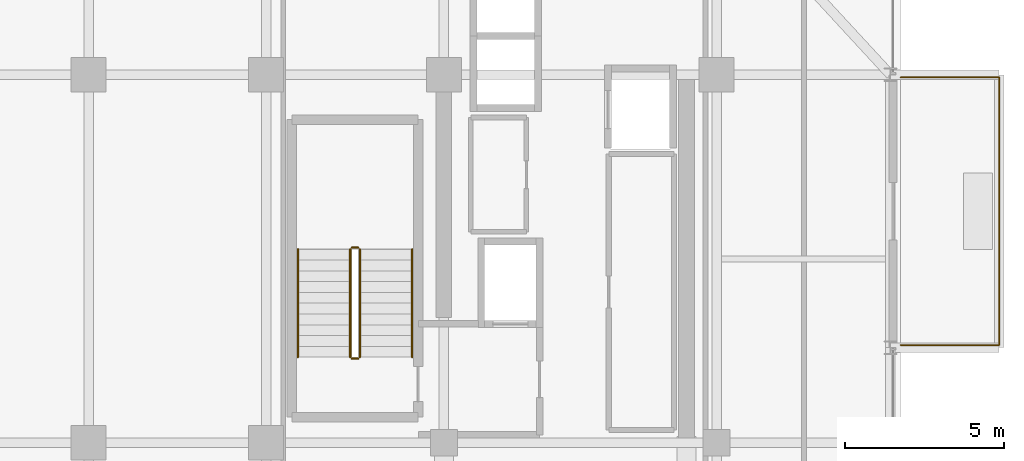
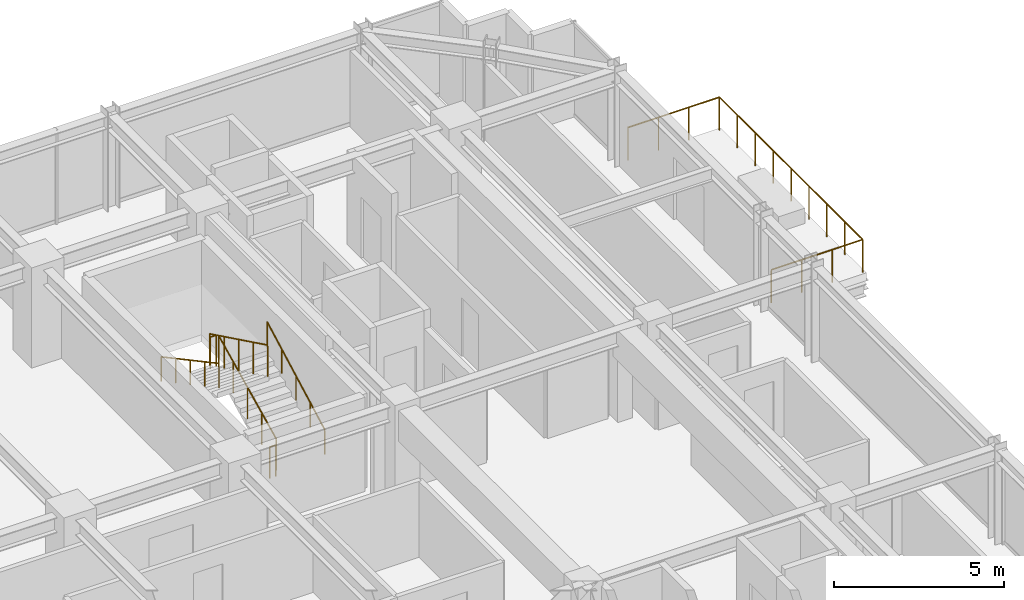
# One storey, part 30 of 31: 7 railings.
"""IFC4 building model written with IfcOpenShell, lengths in metres."""

from ifc_helpers import new_model, si_unit, direction, frame, origin, origin_2d, place, context, subcontext, project, spatial, circle, extrude, material, type_object, element, save


model = new_model("IFC4")

# Units and contexts
model_context = context("Model", 3, precision=1e-05, world=origin(), true_north=direction((0.0, 1.0)))
body_context = subcontext(model_context, "Body", "Model", "MODEL_VIEW")
ifc_project = project(units=[si_unit("LENGTHUNIT", "METRE"), si_unit("AREAUNIT", "SQUARE_METRE"), si_unit("VOLUMEUNIT", "CUBIC_METRE"), si_unit("PLANEANGLEUNIT", "RADIAN"), si_unit("MASSUNIT", "GRAM", prefix="KILO")], contexts=[model_context])

# Site, building, storey
site_placement = place(None, origin())
site = spatial("IfcSite", under=ifc_project, at=site_placement, CompositionType="ELEMENT")
building_placement = place(site_placement, origin())
building = spatial("IfcBuilding", under=site, at=building_placement, Name="Nahalor Promenade Grand Hotel", CompositionType="ELEMENT")
storey_placement = place(building_placement, frame((0.0, 0.0, 192.800048828125)))
storey = spatial("IfcBuildingStorey", under=building, at=storey_placement, Name="L49", CompositionType="ELEMENT", Elevation=192.800048828125)

# Railings
ifc_material_1 = material(Name="Anodised Bronze Aluminium EN AW-6063 T6", Category="aluminium")
railing_type_1 = type_object("IfcRailingType", Name="Bronze Balcony Guardrail 1200 mm", PredefinedType="GUARDRAIL", material=ifc_material_1)
railing_1_placement = place(storey_placement, frame((22.800048828125, 8.47998046875, 0.0)))
element("IfcRailing", 1, at=railing_1_placement, inside=storey, type_object=railing_type_1, Name="L49 Balcony Guardrail 2", PredefinedType="GUARDRAIL", context=body_context, shape_type="SweptSolid", body=[
    extrude(circle(Radius=0.024048, at=origin_2d()), frame((0.0, 0.0, 1.17578125), z_axis=(1.0, 0.0, 0.0), x_axis=(0.0, 1.0, 0.0)), (0.0, 0.0, 1.0), 3.10791015625),
    extrude(circle(Radius=0.024048, at=origin_2d()), frame((3.10986328125, 0.001953125, 1.17578125), z_axis=(0.0, 1.0, 0.0), x_axis=(-1.0, 0.0, 0.0)), (0.0, 0.0, 1.0), 8.43603515625),
    extrude(circle(Radius=0.024048, at=origin_2d()), frame((3.10791015625, 8.43994140625, 1.17578125), z_axis=(-1.0, 0.0, 0.0), x_axis=(0.0, -1.0, 0.0)), (0.0, 0.0, 1.0), 3.10791015625),
    extrude(circle(Radius=0.020996, at=origin_2d()), origin(), (0.0, 0.0, 1.0), 1.14990234375),
    extrude(circle(Radius=0.020996, at=origin_2d()), frame((1.03662109375, 0.0, 0.0)), (0.0, 0.0, 1.0), 1.14990234375),
    extrude(circle(Radius=0.020996, at=origin_2d()), frame((2.0732421875, 0.0, 0.0)), (0.0, 0.0, 1.0), 1.14990234375),
    extrude(circle(Radius=0.020996, at=origin_2d()), frame((3.10986328125, 0.0, 0.0)), (0.0, 0.0, 1.0), 1.14990234375),
    extrude(circle(Radius=0.020996, at=origin_2d()), frame((3.10986328125, 1.054931640625, 0.0)), (0.0, 0.0, 1.0), 1.14990234375),
    extrude(circle(Radius=0.020996, at=origin_2d()), frame((3.10986328125, 2.10986328125, 0.0)), (0.0, 0.0, 1.0), 1.14990234375),
    extrude(circle(Radius=0.020996, at=origin_2d()), frame((3.10986328125, 3.1650390625, 0.0)), (0.0, 0.0, 1.0), 1.14990234375),
    extrude(circle(Radius=0.020996, at=origin_2d()), frame((3.10986328125, 4.219970703125, 0.0)), (0.0, 0.0, 1.0), 1.14990234375),
    extrude(circle(Radius=0.020996, at=origin_2d()), frame((3.10986328125, 5.27490234375, 0.0)), (0.0, 0.0, 1.0), 1.14990234375),
    extrude(circle(Radius=0.020996, at=origin_2d()), frame((3.10986328125, 6.330078125, 0.0)), (0.0, 0.0, 1.0), 1.14990234375),
    extrude(circle(Radius=0.020996, at=origin_2d()), frame((3.10986328125, 7.385009765625, 0.0)), (0.0, 0.0, 1.0), 1.14990234375),
    extrude(circle(Radius=0.020996, at=origin_2d()), frame((3.10986328125, 8.43994140625, 0.0)), (0.0, 0.0, 1.0), 1.14990234375),
    extrude(circle(Radius=0.020996, at=origin_2d()), frame((2.0732421875, 8.43994140625, 0.0)), (0.0, 0.0, 1.0), 1.14990234375),
    extrude(circle(Radius=0.020996, at=origin_2d()), frame((1.03662109375, 8.43994140625, 0.0)), (0.0, 0.0, 1.0), 1.14990234375),
    extrude(circle(Radius=0.020996, at=origin_2d()), frame((0.0, 8.43994140625, 0.0)), (0.0, 0.0, 1.0), 1.14990234375),
])
ifc_material_2 = material(Name="Steel S355JR", Category="steel")
railing_type_2 = type_object("IfcRailingType", Name="Steel Stair Guardrail 1150 mm", PredefinedType="GUARDRAIL", material=ifc_material_2)
railing_2_placement = place(storey_placement, frame((5.75, 8.10009765625, 0.165771484375)))
element("IfcRailing", 2, at=railing_2_placement, inside=storey, type_object=railing_type_2, Name="L49 ST1 stair guard 1", PredefinedType="GUARDRAIL", context=body_context, shape_type="SweptSolid", body=[
    extrude(circle(Radius=0.024048, at=origin_2d()), frame((0.0, 0.0, 1.1259765625), z_axis=(0.0, 0.898696488221, 0.438571114028), x_axis=(-1.0, 0.0, 0.0)), (0.0, 0.0, 1.0), 3.783203125),
    extrude(circle(Radius=0.020996, at=origin_2d()), origin(), (0.0, 0.0, 1.0), 1.099853515625),
    extrude(circle(Radius=0.020996, at=origin_2d()), frame((0.0, 0.85009765625, 0.414794921875)), (0.0, 0.0, 1.0), 1.099853515625),
    extrude(circle(Radius=0.020996, at=origin_2d()), frame((0.0, 1.699951171875, 0.82958984375)), (0.0, 0.0, 1.0), 1.099853515625),
    extrude(circle(Radius=0.020996, at=origin_2d()), frame((0.0, 2.5498046875, 1.244384765625)), (0.0, 0.0, 1.0), 1.099853515625),
    extrude(circle(Radius=0.020996, at=origin_2d()), frame((0.0, 3.39990234375, 1.6591796875)), (0.0, 0.0, 1.0), 1.099853515625),
])
railing_3_placement = place(storey_placement, frame((5.699951171875, 11.550048828125, 1.824951171875)))
element("IfcRailing", 3, at=railing_3_placement, inside=storey, type_object=railing_type_2, Name="L49 ST1 stair guard 2", PredefinedType="GUARDRAIL", context=body_context, shape_type="SweptSolid", body=[
    extrude(circle(Radius=0.024048, at=origin_2d()), frame((0.0, 0.0, 1.1259765625), z_axis=(-1.0, 0.0, 0.0), x_axis=(0.0, -1.0, 0.0)), (0.0, 0.0, 1.0), 0.199951171875),
    extrude(circle(Radius=0.020996, at=origin_2d()), origin(), (0.0, 0.0, 1.0), 1.099853515625),
    extrude(circle(Radius=0.020996, at=origin_2d()), frame((-0.199951171875, 0.0, 0.0)), (0.0, 0.0, 1.0), 1.099853515625),
])
railing_4_placement = place(storey_placement, frame((5.449951171875, 11.5, 1.990966796875)))
element("IfcRailing", 4, at=railing_4_placement, inside=storey, type_object=railing_type_2, Name="L49 ST1 stair guard 3", PredefinedType="GUARDRAIL", context=body_context, shape_type="SweptSolid", body=[
    extrude(circle(Radius=0.024048, at=origin_2d()), frame((0.0, 0.0, 1.1259765625), z_axis=(0.0, -0.898721922897, 0.438518990814), x_axis=(1.0, 0.0, 0.0)), (0.0, 0.0, 1.0), 3.782958984375),
    extrude(circle(Radius=0.020996, at=origin_2d()), origin(), (0.0, 0.0, 1.0), 1.099853515625),
    extrude(circle(Radius=0.020996, at=origin_2d()), frame((0.0, -0.85009765625, 0.414794921875)), (0.0, 0.0, 1.0), 1.099853515625),
    extrude(circle(Radius=0.020996, at=origin_2d()), frame((0.0, -1.699951171875, 0.82958984375)), (0.0, 0.0, 1.0), 1.099853515625),
    extrude(circle(Radius=0.020996, at=origin_2d()), frame((0.0, -2.5498046875, 1.244140625)), (0.0, 0.0, 1.0), 1.099853515625),
    extrude(circle(Radius=0.020996, at=origin_2d()), frame((0.0, -3.39990234375, 1.658935546875)), (0.0, 0.0, 1.0), 1.099853515625),
])
railing_5_placement = place(storey_placement, frame((5.699951171875, 8.050048828125, 0.0)))
element("IfcRailing", 5, at=railing_5_placement, inside=storey, type_object=railing_type_2, Name="L49 ST1 stair guard 4", PredefinedType="GUARDRAIL", context=body_context, shape_type="SweptSolid", body=[
    extrude(circle(Radius=0.024048, at=origin_2d()), frame((0.0, 0.0, 1.1259765625), z_axis=(-1.0, 0.0, 0.0), x_axis=(0.0, -1.0, 0.0)), (0.0, 0.0, 1.0), 0.199951171875),
    extrude(circle(Radius=0.020996, at=origin_2d()), origin(), (0.0, 0.0, 1.0), 1.099853515625),
    extrude(circle(Radius=0.020996, at=origin_2d()), frame((-0.199951171875, 0.0, 0.0)), (0.0, 0.0, 1.0), 1.099853515625),
])
railing_type_3 = type_object("IfcRailingType", Name="Steel Stair Handrail 900 mm", PredefinedType="HANDRAIL", material=ifc_material_2)
railing_6_placement = place(storey_placement, frame((7.39990234375, 8.10009765625, 0.165771484375)))
element("IfcRailing", 6, at=railing_6_placement, inside=storey, type_object=railing_type_3, Name="L49 ST1 stair handrail 1", PredefinedType="HANDRAIL", context=body_context, shape_type="SweptSolid", body=[
    extrude(circle(Radius=0.024048, at=origin_2d()), frame((0.0, 0.0, 0.8759765625), z_axis=(0.0, 0.881067672671, 0.472990228413), x_axis=(-1.0, 0.0, 0.0)), (0.0, 0.0, 1.0), 3.85888671875),
    extrude(circle(Radius=0.020996, at=origin_2d()), origin(), (0.0, 0.0, 1.0), 0.849853515625),
    extrude(circle(Radius=0.020996, at=origin_2d()), frame((0.0, 0.85009765625, 0.456298828125)), (0.0, 0.0, 1.0), 0.849853515625),
    extrude(circle(Radius=0.020996, at=origin_2d()), frame((0.0, 1.699951171875, 0.91259765625)), (0.0, 0.0, 1.0), 0.849853515625),
    extrude(circle(Radius=0.020996, at=origin_2d()), frame((0.0, 2.5498046875, 1.368896484375)), (0.0, 0.0, 1.0), 0.849853515625),
    extrude(circle(Radius=0.020996, at=origin_2d()), frame((0.0, 3.39990234375, 1.8251953125)), (0.0, 0.0, 1.0), 0.849853515625),
])
railing_7_placement = place(storey_placement, frame((3.800048828125, 11.5, 1.990966796875)))
element("IfcRailing", 7, at=railing_7_placement, inside=storey, type_object=railing_type_3, Name="L49 ST1 stair handrail 2", PredefinedType="HANDRAIL", context=body_context, shape_type="SweptSolid", body=[
    extrude(circle(Radius=0.024048, at=origin_2d()), frame((0.0, 0.0, 0.8759765625), z_axis=(0.0, -0.881094038095, 0.47294111265), x_axis=(1.0, 0.0, 0.0)), (0.0, 0.0, 1.0), 3.858642578125),
    extrude(circle(Radius=0.020996, at=origin_2d()), origin(), (0.0, 0.0, 1.0), 0.849853515625),
    extrude(circle(Radius=0.020996, at=origin_2d()), frame((0.0, -0.85009765625, 0.456298828125)), (0.0, 0.0, 1.0), 0.849853515625),
    extrude(circle(Radius=0.020996, at=origin_2d()), frame((0.0, -1.699951171875, 0.91259765625)), (0.0, 0.0, 1.0), 0.849853515625),
    extrude(circle(Radius=0.020996, at=origin_2d()), frame((0.0, -2.5498046875, 1.36865234375)), (0.0, 0.0, 1.0), 0.849853515625),
    extrude(circle(Radius=0.020996, at=origin_2d()), frame((0.0, -3.39990234375, 1.824951171875)), (0.0, 0.0, 1.0), 0.849853515625),
])

save(model, "model.ifc")
